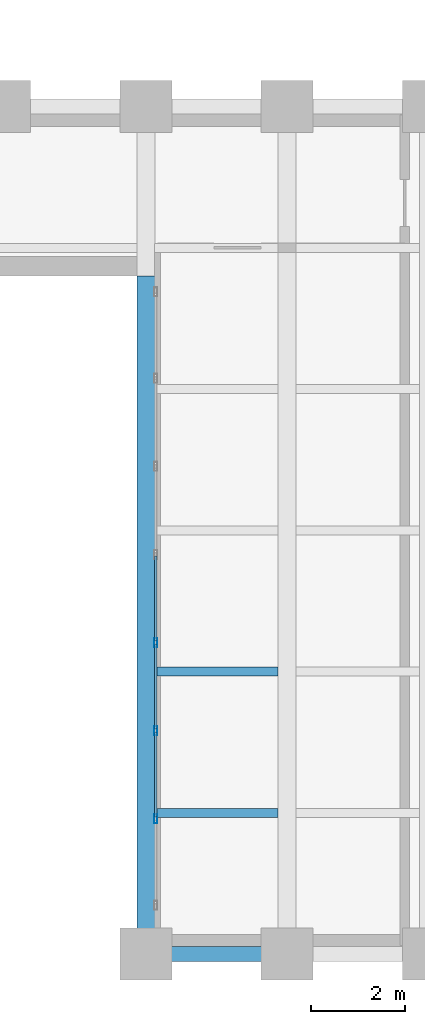
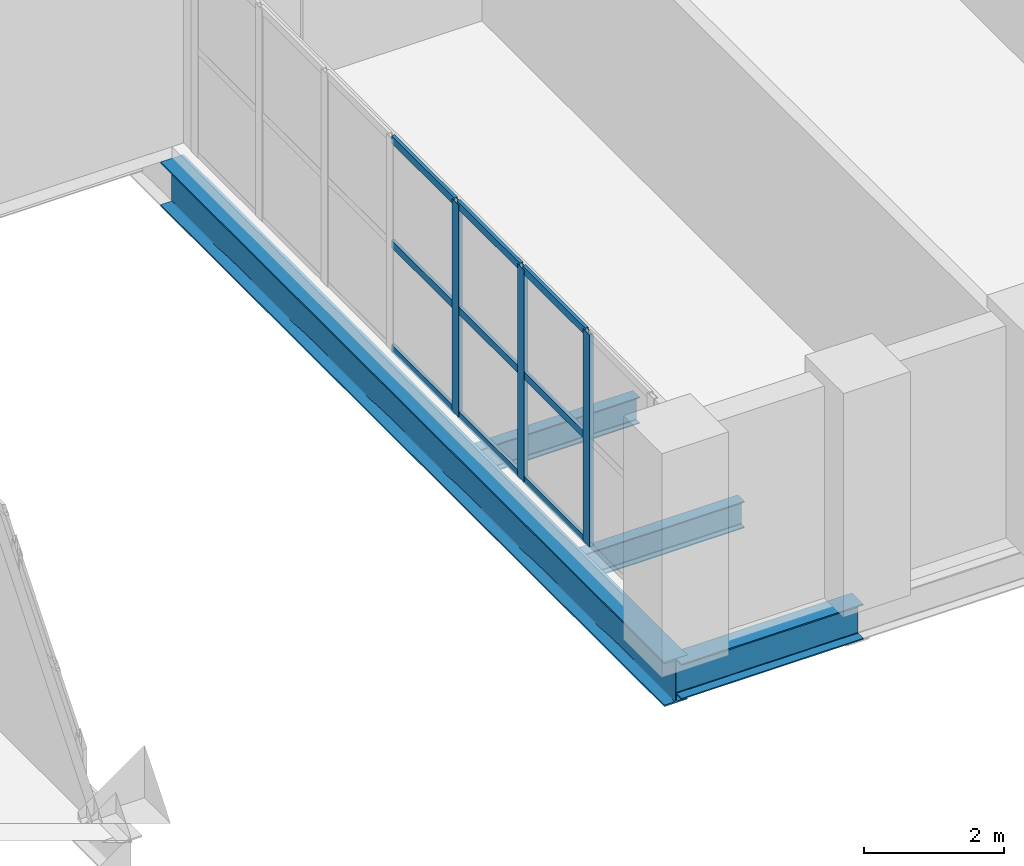
# One storey, part 3 of 10: 12 members, 4 beams, 1 element without a shape of its own.
"""IFC4 building model written with IfcOpenShell, lengths in metres."""

from ifc_helpers import new_model, si_unit, direction, frame, origin, origin_2d, place, context, subcontext, project, spatial, hollow_rectangle, i_section, extrude, material, layer, layer_set, material_profile, profile_set, type_object, element, aggregate, save


model = new_model("IFC4")

# Units and contexts
model_context = context("Model", 3, precision=1e-05, world=origin(), true_north=direction((0.0, 1.0)))
body_context = subcontext(model_context, "Body", "Model", "MODEL_VIEW")
ifc_project = project(units=[si_unit("LENGTHUNIT", "METRE"), si_unit("AREAUNIT", "SQUARE_METRE"), si_unit("VOLUMEUNIT", "CUBIC_METRE"), si_unit("PLANEANGLEUNIT", "RADIAN"), si_unit("MASSUNIT", "GRAM", prefix="KILO")], contexts=[model_context])

# Site, building, storey
site_placement = place(None, origin())
site = spatial("IfcSite", under=ifc_project, at=site_placement, CompositionType="ELEMENT")
building_placement = place(site_placement, origin())
building = spatial("IfcBuilding", under=site, at=building_placement, Name="Mawjdan Bourse Tower", CompositionType="ELEMENT")
storey_placement = place(building_placement, frame((0.0, 0.0, 124.5)))
storey = spatial("IfcBuildingStorey", under=building, at=storey_placement, Name="L29", CompositionType="ELEMENT", Elevation=124.5)

# Beams
ifc_material_1 = material(Name="Structural Steel S355", Category="steel")
ifc_material_profile_1 = material_profile(ifc_material_1, i_section(OverallWidth=0.381103515625, OverallDepth=0.77294921875, WebThickness=0.0166015625, FlangeThickness=0.027099609375, FilletRadius=0.021728515625, at=origin_2d()), Name="W30X173")
ifc_profile_set_1 = profile_set([ifc_material_profile_1], Name="Structural Steel S355")
beam_type_1 = type_object("IfcBeamType", Name="GRD-W30X173", PredefinedType="BEAM", material=ifc_profile_set_1)
beam_1_placement = place(storey_placement, frame((51.0, 3.0, -0.58642578125), z_axis=(0.0, 1.0, 0.0), x_axis=(-1.0, 0.0, 0.0)))
element("IfcBeam", 1, at=beam_1_placement, inside=storey, type_object=beam_type_1, Name="L29 East Wing Clear-Span Girder 005", PredefinedType="BEAM", context=body_context, shape_type="SweptSolid", body=[
    extrude(i_section(OverallWidth=0.381103515625, OverallDepth=0.77294921875, WebThickness=0.0166015625, FlangeThickness=0.027099609375, FilletRadius=0.021728515625, at=origin_2d()), origin(), (0.0, 0.0, 1.0), 14.39990234375),
])
ifc_material_profile_2 = material_profile(ifc_material_1, i_section(OverallWidth=0.19189453125, OverallDepth=0.462890625, WebThickness=0.010498046875, FlangeThickness=0.017578125, FilletRadius=0.01416015625, at=origin_2d()), Name="W18X60")
ifc_profile_set_2 = profile_set([ifc_material_profile_2], Name="Structural Steel S355")
beam_type_2 = type_object("IfcBeamType", Name="JST-W18X60", PredefinedType="JOIST", material=ifc_profile_set_2)
for number, where, z_axis, x_axis, name in (
    (2, (51.1884765625, 6.0, -0.431396484375), (1.0, 0.0, 0.0), (0.0, 1.0, 0.0), "L29 East Wing Composite Joist 024"),
    (3, (51.1884765625, 9.0, -0.431396484375), (1.0, 0.0, 0.0), (0.0, 1.0, 0.0), "L29 East Wing Composite Joist 029"),
):
    element("IfcBeam", number, at=place(storey_placement, frame(where, z_axis=z_axis, x_axis=x_axis)), inside=storey, type_object=beam_type_2, Name=name, PredefinedType="JOIST", context=body_context, shape_type="SweptSolid", body=[
        extrude(i_section(OverallWidth=0.19189453125, OverallDepth=0.462890625, WebThickness=0.010498046875, FlangeThickness=0.017578125, FilletRadius=0.01416015625, at=origin_2d()), origin(), (0.0, 0.0, 1.0), 2.623046875),
    ])

# Curtain wall, members
ifc_material_2 = material(Name="Thermally Broken Aluminium and Solar Glass", Category="aluminium")
ifc_layer = layer(ifc_material_2, 0.219970703125)
ifc_layer_set = layer_set([ifc_layer], Name="Thermally Broken Aluminium and Solar Glass")
curtain_wall_type = type_object("IfcCurtainWallType", Name="CW-POR", PredefinedType="USERDEFINED", material=ifc_layer_set)
curtain_wall_placement = place(storey_placement, origin())
curtain_wall = element("IfcCurtainWall", 4, at=curtain_wall_placement, inside=storey, type_object=curtain_wall_type, Name="L29 East Void Portal Glazed Cheek 3", ObjectType="VOID PORTAL CURTAIN WALL", PredefinedType="USERDEFINED")
ifc_material_3 = material(Name="Thermally Broken Anodised Aluminium", Category="aluminium")
ifc_material_profile_3 = material_profile(ifc_material_3, hollow_rectangle(XDim=0.070068359375, YDim=0.18994140625, WallThickness=0.00439453125, at=origin_2d()), Name="ALU-MUL-190X70")
ifc_profile_set_3 = profile_set([ifc_material_profile_3], Name="Thermally Broken Anodised Aluminium")
member_type_1 = type_object("IfcMemberType", Name="MUL-ALU-MUL-190X70", PredefinedType="MULLION", material=ifc_profile_set_3)
member_1_placement = place(storey_placement, frame((51.2099609375, 9.6142578125, 0.0), z_axis=(0.0, 0.0, 1.0), x_axis=(1.0, 0.0, 0.0)))
member_1 = element("IfcMember", 5, at=member_1_placement, type_object=member_type_1, Name="CW-POR-L29-POR-E3 mullion 5", PredefinedType="MULLION", context=body_context, shape_type="SweptSolid", body=[
    extrude(hollow_rectangle(XDim=0.070068359375, YDim=0.18994140625, WallThickness=0.00439453125, at=origin_2d()), origin(), (0.0, 0.0, 1.0), 3.699951171875),
])
member_2_placement = place(storey_placement, frame((51.2099609375, 7.742919921875, 0.0), z_axis=(0.0, 0.0, 1.0), x_axis=(1.0, 0.0, 0.0)))
member_2 = element("IfcMember", 6, at=member_2_placement, type_object=member_type_1, Name="CW-POR-L29-POR-E3 mullion 6", PredefinedType="MULLION", context=body_context, shape_type="SweptSolid", body=[
    extrude(hollow_rectangle(XDim=0.070068359375, YDim=0.18994140625, WallThickness=0.00439453125, at=origin_2d()), origin(), (0.0, 0.0, 1.0), 3.699951171875),
])
member_3_placement = place(storey_placement, frame((51.2099609375, 5.871337890625, 0.0), z_axis=(0.0, 0.0, 1.0), x_axis=(1.0, 0.0, 0.0)))
member_3 = element("IfcMember", 7, at=member_3_placement, type_object=member_type_1, Name="CW-POR-L29-POR-E3 mullion 7", PredefinedType="MULLION", context=body_context, shape_type="SweptSolid", body=[
    extrude(hollow_rectangle(XDim=0.070068359375, YDim=0.18994140625, WallThickness=0.00439453125, at=origin_2d()), origin(), (0.0, 0.0, 1.0), 3.699951171875),
])

# Beam
ifc_material_profile_4 = material_profile(ifc_material_1, i_section(OverallWidth=0.324951171875, OverallDepth=0.616943359375, WebThickness=0.013916015625, FlangeThickness=0.021484375, FilletRadius=0.017333984375, at=origin_2d()), Name="W24X117")
ifc_profile_set_4 = profile_set([ifc_material_profile_4], Name="Structural Steel S355")
beam_type_3 = type_object("IfcBeamType", Name="SPN-W24X117", PredefinedType="SPANDREL", material=ifc_profile_set_4)
beam_2_placement = place(storey_placement, frame((51.0, 3.0, -0.508544921875), z_axis=(1.0, 0.0, 0.0), x_axis=(0.0, 1.0, 0.0)))
element("IfcBeam", 8, at=beam_2_placement, inside=storey, type_object=beam_type_3, Name="L29 Perimeter Masonry-Shelf Spandrel 012", PredefinedType="SPANDREL", context=body_context, shape_type="SweptSolid", body=[
    extrude(i_section(OverallWidth=0.324951171875, OverallDepth=0.616943359375, WebThickness=0.013916015625, FlangeThickness=0.021484375, FilletRadius=0.017333984375, at=origin_2d()), origin(), (0.0, 0.0, 1.0), 3.0),
])

# Member
ifc_material_profile_5 = material_profile(ifc_material_3, hollow_rectangle(XDim=0.054931640625, YDim=0.1298828125, WallThickness=0.00341796875, at=origin_2d()), Name="ALU-TRN-130X55")
ifc_profile_set_5 = profile_set([ifc_material_profile_5], Name="Thermally Broken Anodised Aluminium")
member_type_2 = type_object("IfcMemberType", Name="TRN-ALU-TRN-130X55", PredefinedType="USERDEFINED", material=ifc_profile_set_5)
member_4_placement = place(storey_placement, frame((51.2099609375, 11.45068359375, 0.027587890625), z_axis=(0.0, -1.0, 0.0), x_axis=(1.0, 0.0, 0.0)))
member_4 = element("IfcMember", 9, at=member_4_placement, type_object=member_type_2, Name="CW-POR-L29-POR-E3 transom 4.1", ObjectType="TRANSOM", PredefinedType="USERDEFINED", context=body_context, shape_type="SweptSolid", body=[
    extrude(hollow_rectangle(XDim=0.054931640625, YDim=0.1298828125, WallThickness=0.00341796875, at=origin_2d()), origin(), (0.0, 0.0, 1.0), 1.801513671875),
])

member_5_placement = place(storey_placement, frame((51.2099609375, 11.45068359375, 1.85009765625), z_axis=(0.0, -1.0, 0.0), x_axis=(1.0, 0.0, 0.0)))
member_5 = element("IfcMember", 10, at=member_5_placement, type_object=member_type_2, Name="CW-POR-L29-POR-E3 transom 4.2", ObjectType="TRANSOM", PredefinedType="USERDEFINED", context=body_context, shape_type="SweptSolid", body=[
    extrude(hollow_rectangle(XDim=0.054931640625, YDim=0.1298828125, WallThickness=0.00341796875, at=origin_2d()), origin(), (0.0, 0.0, 1.0), 1.801513671875),
])

member_6_placement = place(storey_placement, frame((51.2099609375, 11.45068359375, 3.672607421875), z_axis=(0.0, -1.0, 0.0), x_axis=(1.0, 0.0, 0.0)))
member_6 = element("IfcMember", 11, at=member_6_placement, type_object=member_type_2, Name="CW-POR-L29-POR-E3 transom 4.3", ObjectType="TRANSOM", PredefinedType="USERDEFINED", context=body_context, shape_type="SweptSolid", body=[
    extrude(hollow_rectangle(XDim=0.054931640625, YDim=0.1298828125, WallThickness=0.00341796875, at=origin_2d()), origin(), (0.0, 0.0, 1.0), 1.801513671875),
])

member_7_placement = place(storey_placement, frame((51.2099609375, 9.579345703125, 0.027587890625), z_axis=(0.0, -1.0, 0.0), x_axis=(1.0, 0.0, 0.0)))
member_7 = element("IfcMember", 12, at=member_7_placement, type_object=member_type_2, Name="CW-POR-L29-POR-E3 transom 5.1", ObjectType="TRANSOM", PredefinedType="USERDEFINED", context=body_context, shape_type="SweptSolid", body=[
    extrude(hollow_rectangle(XDim=0.054931640625, YDim=0.1298828125, WallThickness=0.00341796875, at=origin_2d()), origin(), (0.0, 0.0, 1.0), 1.801513671875),
])

member_8_placement = place(storey_placement, frame((51.2099609375, 9.579345703125, 1.85009765625), z_axis=(0.0, -1.0, 0.0), x_axis=(1.0, 0.0, 0.0)))
member_8 = element("IfcMember", 13, at=member_8_placement, type_object=member_type_2, Name="CW-POR-L29-POR-E3 transom 5.2", ObjectType="TRANSOM", PredefinedType="USERDEFINED", context=body_context, shape_type="SweptSolid", body=[
    extrude(hollow_rectangle(XDim=0.054931640625, YDim=0.1298828125, WallThickness=0.00341796875, at=origin_2d()), origin(), (0.0, 0.0, 1.0), 1.801513671875),
])

member_9_placement = place(storey_placement, frame((51.2099609375, 9.579345703125, 3.672607421875), z_axis=(0.0, -1.0, 0.0), x_axis=(1.0, 0.0, 0.0)))
member_9 = element("IfcMember", 14, at=member_9_placement, type_object=member_type_2, Name="CW-POR-L29-POR-E3 transom 5.3", ObjectType="TRANSOM", PredefinedType="USERDEFINED", context=body_context, shape_type="SweptSolid", body=[
    extrude(hollow_rectangle(XDim=0.054931640625, YDim=0.1298828125, WallThickness=0.00341796875, at=origin_2d()), origin(), (0.0, 0.0, 1.0), 1.801513671875),
])

member_10_placement = place(storey_placement, frame((51.2099609375, 7.707763671875, 0.027587890625), z_axis=(0.0, -1.0, 0.0), x_axis=(1.0, 0.0, 0.0)))
member_10 = element("IfcMember", 15, at=member_10_placement, type_object=member_type_2, Name="CW-POR-L29-POR-E3 transom 6.1", ObjectType="TRANSOM", PredefinedType="USERDEFINED", context=body_context, shape_type="SweptSolid", body=[
    extrude(hollow_rectangle(XDim=0.054931640625, YDim=0.1298828125, WallThickness=0.00341796875, at=origin_2d()), origin(), (0.0, 0.0, 1.0), 1.80126953125),
])

member_11_placement = place(storey_placement, frame((51.2099609375, 7.707763671875, 1.85009765625), z_axis=(0.0, -1.0, 0.0), x_axis=(1.0, 0.0, 0.0)))
member_11 = element("IfcMember", 16, at=member_11_placement, type_object=member_type_2, Name="CW-POR-L29-POR-E3 transom 6.2", ObjectType="TRANSOM", PredefinedType="USERDEFINED", context=body_context, shape_type="SweptSolid", body=[
    extrude(hollow_rectangle(XDim=0.054931640625, YDim=0.1298828125, WallThickness=0.00341796875, at=origin_2d()), origin(), (0.0, 0.0, 1.0), 1.80126953125),
])

member_12_placement = place(storey_placement, frame((51.2099609375, 7.707763671875, 3.672607421875), z_axis=(0.0, -1.0, 0.0), x_axis=(1.0, 0.0, 0.0)))
member_12 = element("IfcMember", 17, at=member_12_placement, type_object=member_type_2, Name="CW-POR-L29-POR-E3 transom 6.3", ObjectType="TRANSOM", PredefinedType="USERDEFINED", context=body_context, shape_type="SweptSolid", body=[
    extrude(hollow_rectangle(XDim=0.054931640625, YDim=0.1298828125, WallThickness=0.00341796875, at=origin_2d()), origin(), (0.0, 0.0, 1.0), 1.80126953125),
])

aggregate(curtain_wall, [member_1, member_2, member_3, member_4, member_5, member_6, member_7, member_8, member_9, member_10, member_11, member_12])

save(model, "model.ifc")
